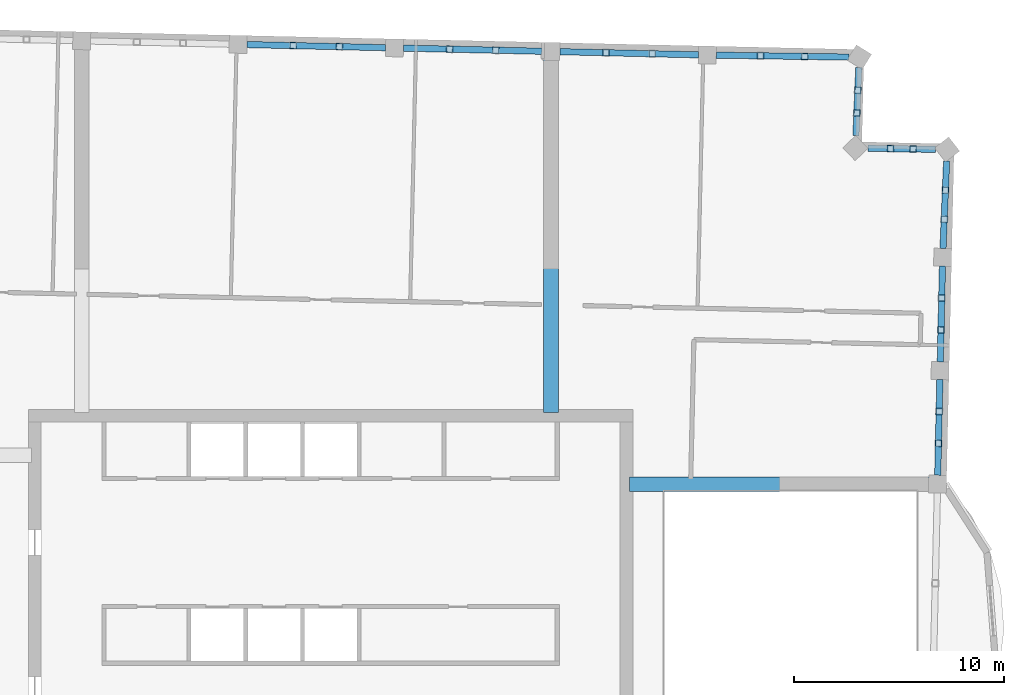
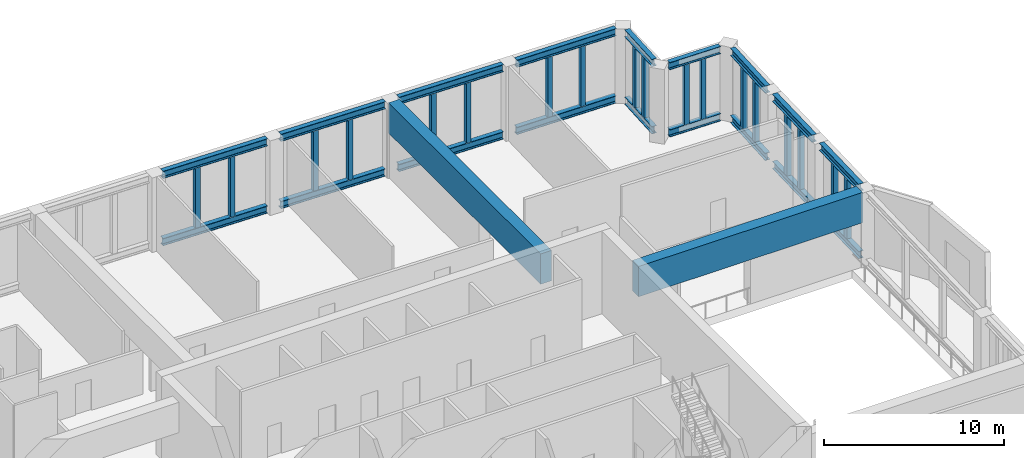
# One storey, part 7 of 16: 36 members, 2 beams.
"""IFC4 building model written with IfcOpenShell, lengths in metres."""

from ifc_helpers import new_model, si_unit, direction, frame, origin, origin_2d, place, context, subcontext, project, spatial, rectangle, hollow_rectangle, i_section, extrude, material, material_profile, profile_set, type_object, element, save


model = new_model("IFC4")

# Units and contexts
model_context = context("Model", 3, precision=1e-05, world=origin(), true_north=direction((0.0, 1.0)))
body_context = subcontext(model_context, "Body", "Model", "MODEL_VIEW")
ifc_project = project(units=[si_unit("LENGTHUNIT", "METRE"), si_unit("AREAUNIT", "SQUARE_METRE"), si_unit("VOLUMEUNIT", "CUBIC_METRE"), si_unit("PLANEANGLEUNIT", "RADIAN"), si_unit("MASSUNIT", "GRAM", prefix="KILO")], contexts=[model_context])

# Site, building, storey
site_placement = place(None, origin())
site = spatial("IfcSite", under=ifc_project, at=site_placement, CompositionType="ELEMENT")
building_placement = place(site_placement, origin())
building = spatial("IfcBuilding", under=site, at=building_placement, Name="Mangrove Gate Tower", CompositionType="ELEMENT")
storey_placement = place(building_placement, frame((0.0, 0.0, 324.10009765625)))
storey = spatial("IfcBuildingStorey", under=building, at=storey_placement, Name="L83", CompositionType="ELEMENT", Elevation=324.10009765625)

# Members
ifc_material_1 = material(Name="Steel S355J2", Category="steel")
ifc_material_profile_1 = material_profile(ifc_material_1, i_section(OverallWidth=0.300048828125, OverallDepth=0.5, WebThickness=0.014404296875, FlangeThickness=0.028076171875, FilletRadius=0.027099609375, at=origin_2d()))
ifc_profile_set_1 = profile_set([ifc_material_profile_1], Name="Steel S355J2")
member_type_1 = type_object("IfcMemberType", Name="Belt truss chord HE 500 B", PredefinedType="CHORD", material=ifc_profile_set_1)
for number, where, z_axis, x_axis, name in (
    (1, (28.932861328125, 8.259521484375, 0.25), (0.022709239016, 0.999742111979, 0.0), (-0.999742111979, 0.022709239016, 0.0), "Belt truss bottom chord L83 18"),
    (2, (28.932861328125, 8.259521484375, 4.7998046875), (0.022709239016, 0.999742111979, 0.0), (-0.999742111979, 0.022709239016, 0.0), "Belt truss top chord L83 18"),
):
    element("IfcMember", number, at=place(storey_placement, frame(where, z_axis=z_axis, x_axis=x_axis)), inside=storey, type_object=member_type_1, Name=name, PredefinedType="CHORD", context=body_context, shape_type="SweptSolid", body=[
        extrude(i_section(OverallWidth=0.300048828125, OverallDepth=0.5, WebThickness=0.014404296875, FlangeThickness=0.028076171875, FilletRadius=0.027099609375, at=origin_2d()), origin(), (0.0, 0.0, 1.0), 4.558349609375),
    ])
for number, where, z_axis, x_axis, name in (
    (3, (29.0556640625, 13.66650390625, 0.25), (0.022553473027, 0.999745638077, 0.0), (-0.999745638077, 0.022553473027, 0.0), "Belt truss bottom chord L83 19"),
    (4, (29.0556640625, 13.66650390625, 4.7998046875), (0.022553473027, 0.999745638077, 0.0), (-0.999745638077, 0.022553473027, 0.0), "Belt truss top chord L83 19"),
):
    element("IfcMember", number, at=place(storey_placement, frame(where, z_axis=z_axis, x_axis=x_axis)), inside=storey, type_object=member_type_1, Name=name, PredefinedType="CHORD", context=body_context, shape_type="SweptSolid", body=[
        extrude(i_section(OverallWidth=0.300048828125, OverallDepth=0.5, WebThickness=0.014404296875, FlangeThickness=0.028076171875, FilletRadius=0.027099609375, at=origin_2d()), origin(), (0.0, 0.0, 1.0), 4.557373046875),
    ])
for number, where, z_axis, x_axis, name in (
    (5, (29.185546875, 19.072265625, 0.25), (0.041318069487, 0.999146043946, 0.0), (-0.999146043946, 0.041318069487, 0.0), "Belt truss bottom chord L83 20"),
    (6, (29.185546875, 19.072265625, 4.7998046875), (0.041318069487, 0.999146043946, 0.0), (-0.999146043946, 0.041318069487, 0.0), "Belt truss top chord L83 20"),
):
    element("IfcMember", number, at=place(storey_placement, frame(where, z_axis=z_axis, x_axis=x_axis)), inside=storey, type_object=member_type_1, Name=name, PredefinedType="CHORD", context=body_context, shape_type="SweptSolid", body=[
        extrude(i_section(OverallWidth=0.300048828125, OverallDepth=0.5, WebThickness=0.014404296875, FlangeThickness=0.028076171875, FilletRadius=0.027099609375, at=origin_2d()), origin(), (0.0, 0.0, 1.0), 4.159912109375),
    ])
for number, where, z_axis, x_axis, name in (
    (7, (28.835693359375, 23.792724609375, 0.25), (-0.999882267326, 0.015344428505, 0.0), (-0.015344428505, -0.999882267326, 0.0), "Belt truss bottom chord L83 21"),
    (8, (28.835693359375, 23.792724609375, 4.7998046875), (-0.999882267326, 0.015344428505, 0.0), (-0.015344428505, -0.999882267326, 0.0), "Belt truss top chord L83 21"),
):
    element("IfcMember", number, at=place(storey_placement, frame(where, z_axis=z_axis, x_axis=x_axis)), inside=storey, type_object=member_type_1, Name=name, PredefinedType="CHORD", context=body_context, shape_type="SweptSolid", body=[
        extrude(i_section(OverallWidth=0.300048828125, OverallDepth=0.5, WebThickness=0.014404296875, FlangeThickness=0.028076171875, FilletRadius=0.027099609375, at=origin_2d()), origin(), (0.0, 0.0, 1.0), 3.22998046875),
    ])
for number, where, z_axis, x_axis, name in (
    (9, (25.03466796875, 24.4404296875, 0.25), (0.042188460551, 0.999109670555, 0.0), (-0.999109670555, 0.042188460551, 0.0), "Belt truss bottom chord L83 22"),
    (10, (25.03466796875, 24.4404296875, 4.7998046875), (0.042188460551, 0.999109670555, 0.0), (-0.999109670555, 0.042188460551, 0.0), "Belt truss top chord L83 22"),
):
    element("IfcMember", number, at=place(storey_placement, frame(where, z_axis=z_axis, x_axis=x_axis)), inside=storey, type_object=member_type_1, Name=name, PredefinedType="CHORD", context=body_context, shape_type="SweptSolid", body=[
        extrude(i_section(OverallWidth=0.300048828125, OverallDepth=0.5, WebThickness=0.014404296875, FlangeThickness=0.028076171875, FilletRadius=0.027099609375, at=origin_2d()), origin(), (0.0, 0.0, 1.0), 3.258056640625),
    ])
for number, where, z_axis, x_axis, name in (
    (11, (24.697021484375, 28.190185546875, 0.25), (-0.999894517446, 0.014524254918, 0.0), (-0.014524254918, -0.999894517446, 0.0), "Belt truss bottom chord L83 23"),
    (12, (24.697021484375, 28.190185546875, 4.7998046875), (-0.999894517446, 0.014524254918, 0.0), (-0.014524254918, -0.999894517446, 0.0), "Belt truss top chord L83 23"),
):
    element("IfcMember", number, at=place(storey_placement, frame(where, z_axis=z_axis, x_axis=x_axis)), inside=storey, type_object=member_type_1, Name=name, PredefinedType="CHORD", context=body_context, shape_type="SweptSolid", body=[
        extrude(i_section(OverallWidth=0.300048828125, OverallDepth=0.5, WebThickness=0.014404296875, FlangeThickness=0.028076171875, FilletRadius=0.027099609375, at=origin_2d()), origin(), (0.0, 0.0, 1.0), 6.3203125),
    ])
for number, where, z_axis, x_axis, name in (
    (13, (17.527587890625, 28.2978515625, 0.25), (-0.999743435472, 0.022650899096, 0.0), (-0.022650899096, -0.999743435472, 0.0), "Belt truss bottom chord L83 24"),
    (14, (17.527587890625, 28.2978515625, 4.7998046875), (-0.999743435472, 0.022650899096, 0.0), (-0.022650899096, -0.999743435472, 0.0), "Belt truss top chord L83 24"),
):
    element("IfcMember", number, at=place(storey_placement, frame(where, z_axis=z_axis, x_axis=x_axis)), inside=storey, type_object=member_type_1, Name=name, PredefinedType="CHORD", context=body_context, shape_type="SweptSolid", body=[
        extrude(i_section(OverallWidth=0.300048828125, OverallDepth=0.5, WebThickness=0.014404296875, FlangeThickness=0.028076171875, FilletRadius=0.027099609375, at=origin_2d()), origin(), (0.0, 0.0, 1.0), 6.607177734375),
    ])
for number, where, z_axis, x_axis, name in (
    (15, (10.072509765625, 28.466796875, 0.25), (-0.999740135153, 0.022796099759, 0.0), (-0.022796099759, -0.999740135153, 0.0), "Belt truss bottom chord L83 25"),
    (16, (10.072509765625, 28.466796875, 4.7998046875), (-0.999740135153, 0.022796099759, 0.0), (-0.022796099759, -0.999740135153, 0.0), "Belt truss top chord L83 25"),
):
    element("IfcMember", number, at=place(storey_placement, frame(where, z_axis=z_axis, x_axis=x_axis)), inside=storey, type_object=member_type_1, Name=name, PredefinedType="CHORD", context=body_context, shape_type="SweptSolid", body=[
        extrude(i_section(OverallWidth=0.300048828125, OverallDepth=0.5, WebThickness=0.014404296875, FlangeThickness=0.028076171875, FilletRadius=0.027099609375, at=origin_2d()), origin(), (0.0, 0.0, 1.0), 6.60791015625),
    ])
for number, where, z_axis, x_axis, name in (
    (17, (2.616455078125, 28.63671875, 0.25), (-0.999743416513, 0.022651735883, 0.0), (-0.022651735883, -0.999743416513, 0.0), "Belt truss bottom chord L83 26"),
    (18, (2.616455078125, 28.63671875, 4.7998046875), (-0.999743416513, 0.022651735883, 0.0), (-0.022651735883, -0.999743416513, 0.0), "Belt truss top chord L83 26"),
):
    element("IfcMember", number, at=place(storey_placement, frame(where, z_axis=z_axis, x_axis=x_axis)), inside=storey, type_object=member_type_1, Name=name, PredefinedType="CHORD", context=body_context, shape_type="SweptSolid", body=[
        extrude(i_section(OverallWidth=0.300048828125, OverallDepth=0.5, WebThickness=0.014404296875, FlangeThickness=0.028076171875, FilletRadius=0.027099609375, at=origin_2d()), origin(), (0.0, 0.0, 1.0), 6.60693359375),
    ])
ifc_material_2 = material(Name="Steel S355J2H", Category="steel")
ifc_material_profile_2 = material_profile(ifc_material_2, hollow_rectangle(XDim=0.300048828125, YDim=0.300048828125, WallThickness=0.012451171875, at=origin_2d()))
ifc_profile_set_2 = profile_set([ifc_material_profile_2], Name="Steel S355J2H")
member_type_2 = type_object("IfcMemberType", Name="Belt truss post SHS 300x300x12.5", PredefinedType="POST", material=ifc_profile_set_2)
for number, where, z_axis, x_axis, name in (
    (19, (28.96728515625, 9.778564453125, 0.5), (0.0, 0.0, 1.0), (0.022742314708, 0.999741360114, 0.0), "Belt truss post L83 18-1"),
    (20, (29.001953125, 11.297607421875, 0.5), (0.0, 0.0, 1.0), (0.022742314708, 0.999741360114, 0.0), "Belt truss post L83 18-2"),
    (21, (29.090087890625, 15.185302734375, 0.5), (0.0, 0.0, 1.0), (0.022561771828, 0.999745450828, 0.0), "Belt truss post L83 19-1"),
    (22, (29.124267578125, 16.7041015625, 0.5), (0.0, 0.0, 1.0), (0.022561771828, 0.999745450828, 0.0), "Belt truss post L83 19-2"),
    (23, (29.242919921875, 20.457763671875, 0.5), (0.0, 0.0, 1.0), (0.041275762164, 0.9991477926, 0.0), "Belt truss post L83 20-1"),
    (24, (29.300048828125, 21.843017578125, 0.5), (0.0, 0.0, 1.0), (0.041275762164, 0.9991477926, 0.0), "Belt truss post L83 20-2"),
    (25, (27.75927734375, 23.809326171875, 0.5), (0.0, 0.0, 1.0), (-0.999882390352, 0.015336409724, 0.0), "Belt truss post L83 21-1"),
    (26, (26.682861328125, 23.82568359375, 0.5), (0.0, 0.0, 1.0), (-0.999882390352, 0.015336409724, 0.0), "Belt truss post L83 21-2"),
    (27, (25.08056640625, 25.525390625, 0.5), (0.0, 0.0, 1.0), (0.042220365278, 0.999108322834, 0.0), "Belt truss post L83 22-1"),
    (28, (25.126220703125, 26.610595703125, 0.5), (0.0, 0.0, 1.0), (0.042220365278, 0.999108322834, 0.0), "Belt truss post L83 22-2"),
    (29, (22.59033203125, 28.220703125, 0.5), (0.0, 0.0, 1.0), (-0.99989457467, 0.014520314926, 0.0), "Belt truss post L83 23-1"),
    (30, (20.48388671875, 28.25146484375, 0.5), (0.0, 0.0, 1.0), (-0.99989457467, 0.014520314926, 0.0), "Belt truss post L83 23-2"),
    (31, (15.32568359375, 28.34765625, 0.5), (0.0, 0.0, 1.0), (-0.99974314835, 0.0226635683, 0.0), "Belt truss post L83 24-1"),
    (32, (13.1240234375, 28.3974609375, 0.5), (0.0, 0.0, 1.0), (-0.99974314835, 0.0226635683, 0.0), "Belt truss post L83 24-2"),
    (33, (7.870361328125, 28.51708984375, 0.5), (0.0, 0.0, 1.0), (-0.999740171539, 0.022794503973, 0.0), "Belt truss post L83 25-1"),
    (34, (5.668212890625, 28.567138671875, 0.5), (0.0, 0.0, 1.0), (-0.999740171539, 0.022794503973, 0.0), "Belt truss post L83 25-2"),
    (35, (0.414794921875, 28.686767578125, 0.5), (0.0, 0.0, 1.0), (-0.999743150327, 0.022663481056, 0.0), "Belt truss post L83 26-1"),
    (36, (-1.787109375, 28.736572265625, 0.5), (0.0, 0.0, 1.0), (-0.999743150327, 0.022663481056, 0.0), "Belt truss post L83 26-2"),
):
    element("IfcMember", number, at=place(storey_placement, frame(where, z_axis=z_axis, x_axis=x_axis)), inside=storey, type_object=member_type_2, Name=name, PredefinedType="POST", context=body_context, shape_type="SweptSolid", body=[
        extrude(hollow_rectangle(XDim=0.300048828125, YDim=0.300048828125, WallThickness=0.012451171875, at=origin_2d()), origin(), (0.0, 0.0, 1.0), 4.0498046875),
    ])

# Beams
ifc_material_3 = material(Name="Concrete C50/60", Category="concrete")
ifc_material_profile_3 = material_profile(ifc_material_3, rectangle(XDim=0.699951171875, YDim=2.050048828125, at=origin_2d()))
ifc_profile_set_3 = profile_set([ifc_material_profile_3], Name="Concrete C50/60")
beam_type = type_object("IfcBeamType", Name="Outrigger coupling beam RC 700x2050 C50/60", PredefinedType="BEAM", material=ifc_profile_set_3)
beam_1_placement = place(storey_placement, frame((14.25, 7.834716796875, 4.02490234375), z_axis=(1.0, 0.0, 0.0), x_axis=(0.0, 1.0, 0.0)))
element("IfcBeam", 37, at=beam_1_placement, inside=storey, type_object=beam_type, Name="Outrigger coupling beam L83 OR1", PredefinedType="BEAM", context=body_context, shape_type="SweptSolid", body=[
    extrude(rectangle(XDim=0.699951171875, YDim=2.050048828125, at=origin_2d()), origin(), (0.0, 0.0, 1.0), 14.347900390625),
])
beam_2_placement = place(storey_placement, frame((10.497314453125, 11.25, 4.02490234375), z_axis=(0.0, 1.0, 0.0), x_axis=(-1.0, 0.0, 0.0)))
element("IfcBeam", 38, at=beam_2_placement, inside=storey, type_object=beam_type, Name="Outrigger coupling beam L83 OR3", PredefinedType="BEAM", context=body_context, shape_type="SweptSolid", body=[
    extrude(rectangle(XDim=0.699951171875, YDim=2.050048828125, at=origin_2d()), origin(), (0.0, 0.0, 1.0), 16.882080078125),
])

save(model, "model.ifc")
